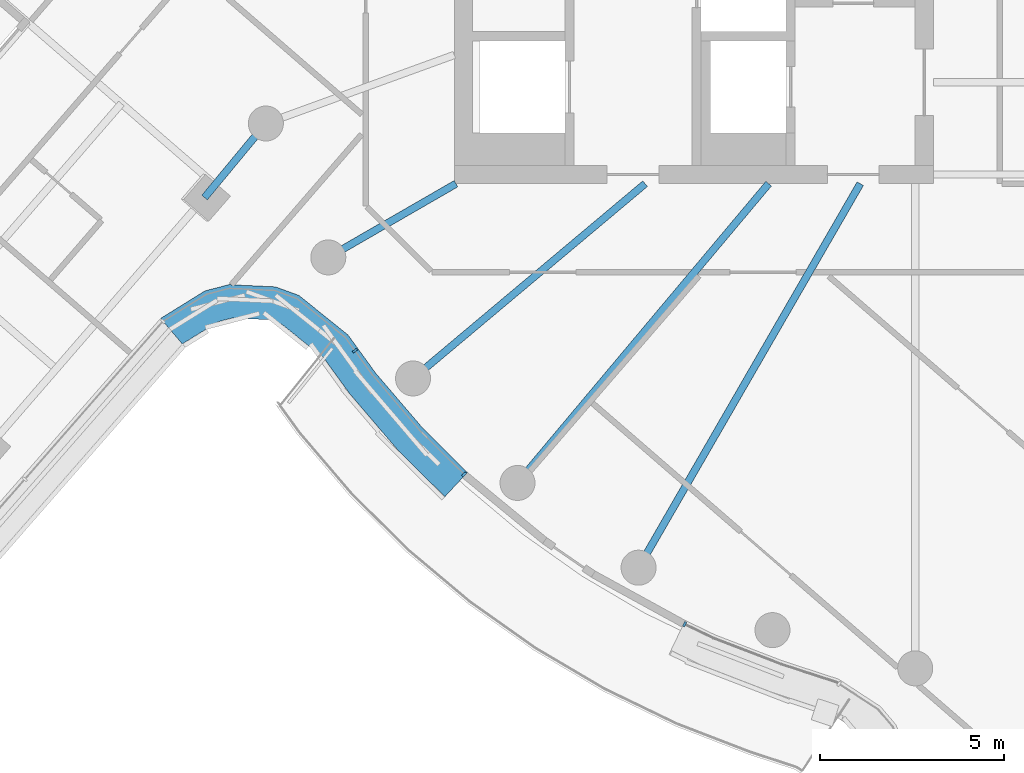
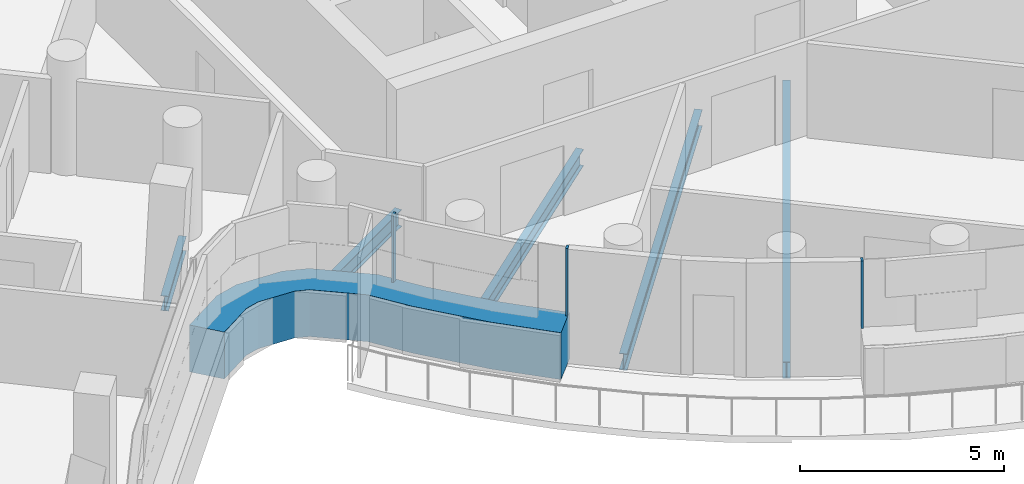
# One storey, part 4 of 32: 5 beams, 4 members, 1 element without a shape of its own.
"""IFC4 building model written with IfcOpenShell, lengths in metres."""

from ifc_helpers import new_model, si_unit, direction, frame, origin, origin_2d, place, context, subcontext, project, spatial, polyline, rectangle, i_section, outline, extrude, material, layer, layer_set, material_profile, profile_set, type_object, element, aggregate, save


model = new_model("IFC4")

# Units and contexts
model_context = context("Model", 3, precision=1e-05, world=origin(), true_north=direction((0.0, 1.0)))
body_context = subcontext(model_context, "Body", "Model", "MODEL_VIEW")
ifc_project = project(units=[si_unit("LENGTHUNIT", "METRE"), si_unit("AREAUNIT", "SQUARE_METRE"), si_unit("VOLUMEUNIT", "CUBIC_METRE"), si_unit("PLANEANGLEUNIT", "RADIAN"), si_unit("MASSUNIT", "GRAM", prefix="KILO")], contexts=[model_context])

# Site, building, storey
site_placement = place(None, origin())
site = spatial("IfcSite", under=ifc_project, at=site_placement, CompositionType="ELEMENT")
building_placement = place(site_placement, origin())
building = spatial("IfcBuilding", under=site, at=building_placement, Name="Tamarind Cross Interchange Tower", CompositionType="ELEMENT")
storey_placement = place(building_placement, frame((0.0, 0.0, 211.300048828125)))
storey = spatial("IfcBuildingStorey", under=building, at=storey_placement, Name="L53", CompositionType="ELEMENT", Elevation=211.300048828125)

# Beams
ifc_material_1 = material(Name="Steel Q355B", Category="steel")
ifc_material_profile_1 = material_profile(ifc_material_1, i_section(OverallWidth=0.198974609375, OverallDepth=0.446044921875, WebThickness=0.008056640625, FlangeThickness=0.011962890625, FilletRadius=0.012939453125, at=origin_2d()), Name="HN 446x199x8x12")
ifc_profile_set_1 = profile_set([ifc_material_profile_1], Name="Steel Q355B")
beam_type_1 = type_object("IfcBeamType", Name="Composite beam HN 446x199x8x12 Q355B", PredefinedType="BEAM", material=ifc_profile_set_1)
beam_1_placement = place(storey_placement, frame((-23.276123046875, -9.874755859375, -0.363037109375), z_axis=(0.637805292943, 0.770197642358, 0.0), x_axis=(-0.770197642358, 0.637805292943, 0.0)))
element("IfcBeam", 1, at=beam_1_placement, inside=storey, type_object=beam_type_1, Name="Beam W-linkep", PredefinedType="BEAM", context=body_context, shape_type="SweptSolid", body=[
    extrude(i_section(OverallWidth=0.198974609375, OverallDepth=0.446044921875, WebThickness=0.008056640625, FlangeThickness=0.011962890625, FilletRadius=0.012939453125, at=origin_2d()), origin(), (0.0, 0.0, 1.0), 2.607421875),
])
ifc_material_profile_2 = material_profile(ifc_material_1, i_section(OverallWidth=0.198974609375, OverallDepth=0.49609375, WebThickness=0.009033203125, FlangeThickness=0.013916015625, FilletRadius=0.012939453125, at=origin_2d()), Name="HN 496x199x9x14")
ifc_profile_set_2 = profile_set([ifc_material_profile_2], Name="Steel Q355B")
beam_type_2 = type_object("IfcBeamType", Name="Composite beam HN 496x199x9x14 Q355B", PredefinedType="BEAM", material=ifc_profile_set_2)
beam_2_placement = place(storey_placement, frame((-19.918701171875, -11.5, -0.387939453125), z_axis=(0.866026010844, 0.49999894854, 0.0), x_axis=(-0.49999894854, 0.866026010844, 0.0)))
element("IfcBeam", 2, at=beam_2_placement, inside=storey, type_object=beam_type_2, Name="Beam HH21", PredefinedType="BEAM", context=body_context, shape_type="SweptSolid", body=[
    extrude(i_section(OverallWidth=0.198974609375, OverallDepth=0.49609375, WebThickness=0.009033203125, FlangeThickness=0.013916015625, FilletRadius=0.012939453125, at=origin_2d()), origin(), (0.0, 0.0, 1.0), 4.0),
])
beam_3_placement = place(storey_placement, frame((-17.619140625, -14.7841796875, -0.387939453125), z_axis=(0.766040580814, 0.642792212574, 0.0), x_axis=(-0.642792212574, 0.766040580814, 0.0)))
element("IfcBeam", 3, at=beam_3_placement, inside=storey, type_object=beam_type_2, Name="Beam HH22", PredefinedType="BEAM", context=body_context, shape_type="SweptSolid", body=[
    extrude(i_section(OverallWidth=0.198974609375, OverallDepth=0.49609375, WebThickness=0.009033203125, FlangeThickness=0.013916015625, FilletRadius=0.012939453125, at=origin_2d()), origin(), (0.0, 0.0, 1.0), 8.220703125),
])
beam_4_placement = place(storey_placement, frame((-14.7841796875, -17.619140625, -0.387939453125), z_axis=(0.642786293979, 0.766045547127, 0.0), x_axis=(-0.766045547127, 0.642786293979, 0.0)))
element("IfcBeam", 4, at=beam_4_placement, inside=storey, type_object=beam_type_2, Name="Beam HH23", PredefinedType="BEAM", context=body_context, shape_type="SweptSolid", body=[
    extrude(i_section(OverallWidth=0.198974609375, OverallDepth=0.49609375, WebThickness=0.009033203125, FlangeThickness=0.013916015625, FilletRadius=0.012939453125, at=origin_2d()), origin(), (0.0, 0.0, 1.0), 10.598876953125),
])
beam_5_placement = place(storey_placement, frame((-11.5, -19.918701171875, -0.387939453125), z_axis=(0.499993565836, 0.866029118519, 0.0), x_axis=(-0.866029118519, 0.499993565836, 0.0)))
element("IfcBeam", 5, at=beam_5_placement, inside=storey, type_object=beam_type_2, Name="Beam HH24", PredefinedType="BEAM", context=body_context, shape_type="SweptSolid", body=[
    extrude(i_section(OverallWidth=0.198974609375, OverallDepth=0.49609375, WebThickness=0.009033203125, FlangeThickness=0.013916015625, FilletRadius=0.012939453125, at=origin_2d()), origin(), (0.0, 0.0, 1.0), 12.030517578125),
])

# Curtain wall, members
ifc_material_2 = material(Name="Aluminium 6063-T6", Category="aluminium")
ifc_layer = layer(ifc_material_2, 0.139892578125)
ifc_layer_set = layer_set([ifc_layer], Name="Aluminium 6063-T6")
curtain_wall_type = type_object("IfcCurtainWallType", Name="Hotel curtain wall, 4.5 m bays", PredefinedType="NOTDEFINED", material=ifc_layer_set)
curtain_wall_placement = place(storey_placement, origin())
curtain_wall = element("IfcCurtainWall", 6, at=curtain_wall_placement, inside=storey, type_object=curtain_wall_type, Name="CWS-L53-02", PredefinedType="NOTDEFINED")
ifc_material_3 = material(Name="Aluminium and insulated spandrel panel", Category="aluminium")
member_type_1 = type_object("IfcMemberType", Name="Floor-edge blade transom", PredefinedType="USERDEFINED", material=ifc_material_3)
member_1_placement = place(storey_placement, origin())
member_1 = element("IfcMember", 7, at=member_1_placement, type_object=member_type_1, Name="CWT-L53-02-0", ObjectType="TRANSOM", PredefinedType="USERDEFINED", context=body_context, shape_type="SweptSolid", body=[
    extrude(outline(polyline([(-24.4697265625, -13.15478515625), (-23.2666015625, -12.407470703125), (-22.6171875, -12.238525390625), (-21.354248046875, -12.2978515625), (-20.719482421875, -12.528076171875), (-19.385498046875, -13.6005859375), (-18.63671875, -14.63427734375), (-17.3642578125, -16.12353515625), (-16.142822265625, -17.33447265625), (-16.75634765625, -17.993408203125), (-18.0244140625, -16.736572265625), (-19.344482421875, -15.19140625), (-20.04345703125, -14.226318359375), (-21.1669921875, -13.3232421875), (-21.532958984375, -13.1904296875), (-22.52294921875, -13.14404296875), (-22.907958984375, -13.244140625), (-23.880859375, -13.848388671875), (-24.4697265625, -13.15478515625)])), origin(), (0.0, 0.0, 1.0), 1.39990234375),
])
ifc_material_profile_3 = material_profile(ifc_material_2, rectangle(XDim=0.06005859375, YDim=0.139892578125, at=origin_2d()), Name="Mullion CW2")
ifc_profile_set_3 = profile_set([ifc_material_profile_3], Name="Aluminium 6063-T6")
member_type_2 = type_object("IfcMemberType", Name="Mullion CW2", PredefinedType="MULLION", material=ifc_profile_set_3)
member_2_placement = place(storey_placement, frame((-19.197509765625, -14.030517578125, 1.39990234375), z_axis=(0.0, 0.0, 1.0), x_axis=(0.586628953503, -0.809855833413, 0.0)))
member_2 = element("IfcMember", 8, at=member_2_placement, type_object=member_type_2, Name="CWM-L53-02-01", PredefinedType="MULLION", context=body_context, shape_type="SweptSolid", body=[
    extrude(rectangle(XDim=0.06005859375, YDim=0.139892578125, at=origin_2d()), origin(), (0.0, 0.0, 1.0), 2.02001953125),
])
member_3_placement = place(storey_placement, frame((-16.232177734375, -17.38671875, 1.39990234375), z_axis=(0.0, 0.0, 1.0), x_axis=(0.710143317658, -0.704057148523, 0.0)))
member_3 = element("IfcMember", 9, at=member_3_placement, type_object=member_type_2, Name="CWM-L53-02-02", PredefinedType="MULLION", context=body_context, shape_type="SweptSolid", body=[
    extrude(rectangle(XDim=0.06005859375, YDim=0.139892578125, at=origin_2d()), origin(), (0.0, 0.0, 1.0), 2.02001953125),
])
member_4_placement = place(storey_placement, frame((-10.248291015625, -21.45361328125, 1.39990234375), z_axis=(0.0, 0.0, 1.0), x_axis=(0.900272776334, -0.435326231914, 0.0)))
member_4 = element("IfcMember", 10, at=member_4_placement, type_object=member_type_2, Name="CWM-L53-02-03", PredefinedType="MULLION", context=body_context, shape_type="SweptSolid", body=[
    extrude(rectangle(XDim=0.06005859375, YDim=0.139892578125, at=origin_2d()), origin(), (0.0, 0.0, 1.0), 2.02001953125),
])
aggregate(curtain_wall, [member_2, member_3, member_4, member_1])

save(model, "model.ifc")
